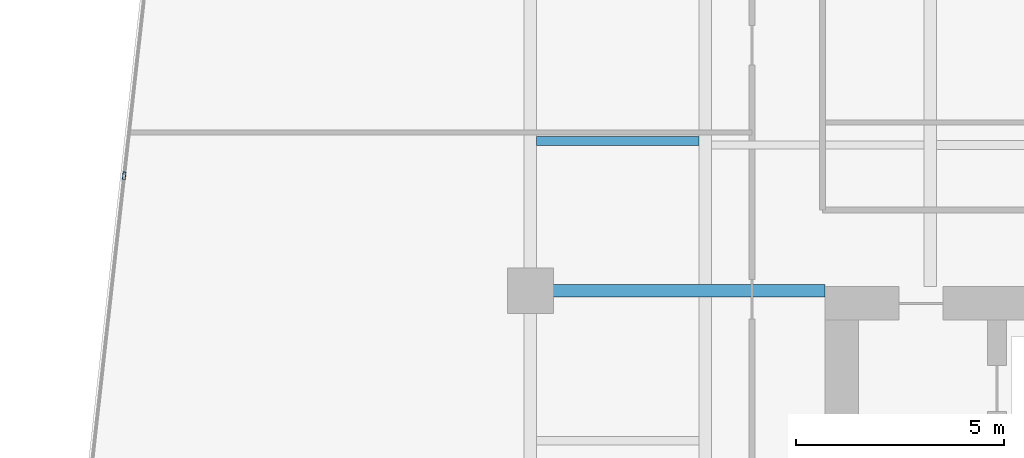
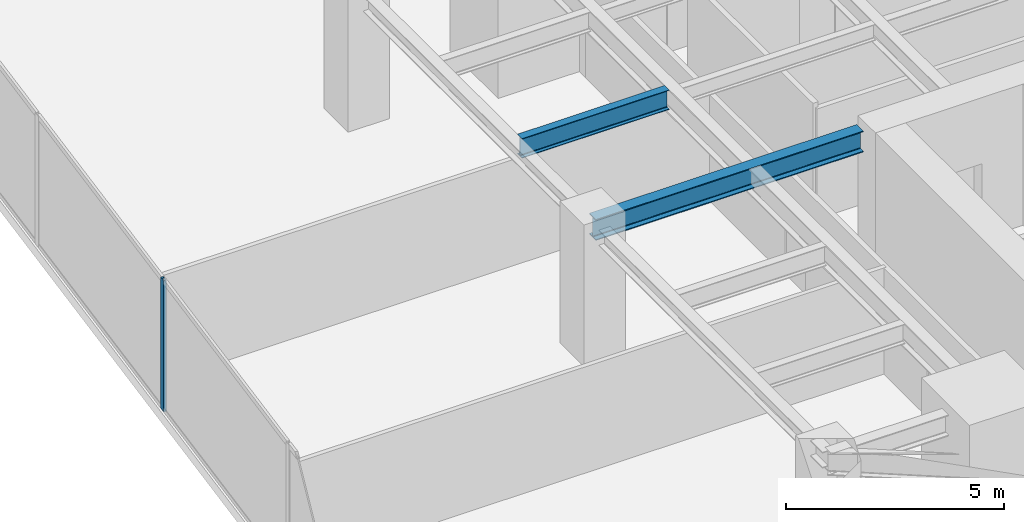
# One storey, part 8 of 28: 2 beams, 1 member, 1 element without a shape of its own.
"""IFC4 building model written with IfcOpenShell, lengths in metres."""

from ifc_helpers import new_model, si_unit, direction, frame, origin, origin_2d, place, context, subcontext, project, spatial, hollow_rectangle, i_section, extrude, source, transform, mapped, material, material_profile, profile_set, type_object, type_shapes, element, aggregate, save


model = new_model("IFC4")

# Units and contexts
model_context = context("Model", 3, precision=1e-05, world=origin(), true_north=direction((0.0, 1.0)))
body_context = subcontext(model_context, "Body", "Model", "MODEL_VIEW")
ifc_project = project(units=[si_unit("LENGTHUNIT", "METRE"), si_unit("AREAUNIT", "SQUARE_METRE"), si_unit("VOLUMEUNIT", "CUBIC_METRE"), si_unit("PLANEANGLEUNIT", "RADIAN"), si_unit("MASSUNIT", "GRAM", prefix="KILO")], contexts=[model_context])

# Site, building, storey
site_placement = place(None, origin())
site = spatial("IfcSite", under=ifc_project, at=site_placement, CompositionType="ELEMENT")
building_placement = place(site_placement, origin())
building = spatial("IfcBuilding", under=site, at=building_placement, Name="Krantzveldt Concourse Tower", CompositionType="ELEMENT")
storey_placement = place(building_placement, frame((0.0, 0.0, 64.5)))
storey = spatial("IfcBuildingStorey", under=building, at=storey_placement, Name="L15", CompositionType="ELEMENT", Elevation=64.5)

# Beams
ifc_material_1 = material(Name="Steel S355JR", Category="steel")
ifc_material_profile_1 = material_profile(ifc_material_1, i_section(OverallWidth=0.300048828125, OverallDepth=0.590087890625, WebThickness=0.012939453125, FlangeThickness=0.02490234375, FilletRadius=0.027099609375, at=origin_2d()), Name="Steel S355JR", Category="steel")
ifc_profile_set_1 = profile_set([ifc_material_profile_1], Name="Steel S355JR - HEA 600")
beam_type_1 = type_object("IfcBeamType", Name="BM-B-HEA600", PredefinedType="BEAM", material=ifc_profile_set_1)
shared_shape_1 = source(origin(), body_context, "Body", "SweptSolid", [
    extrude(i_section(OverallWidth=0.300048828125, OverallDepth=0.590087890625, WebThickness=0.012939453125, FlangeThickness=0.02490234375, FilletRadius=0.027099609375, at=origin_2d()), origin(), (0.0, 0.0, 1.0), 7.080078125),
])
type_shapes(beam_type_1, [shared_shape_1])
beam_1_placement = place(storey_placement, frame((21.0, 26.699951171875, 3.375), z_axis=(1.0, 0.0, 0.0), x_axis=(0.0, 1.0, 0.0)))
element("IfcBeam", 1, at=beam_1_placement, inside=storey, type_object=beam_type_1, Name="L15 Tower Girder BG-CW2", PredefinedType="BEAM", context=body_context, shape_type="MappedRepresentation", body=[
    mapped(shared_shape_1, transform((0.0, 0.0, 0.0), x_axis=(1.0, 0.0, 0.0), y_axis=(0.0, 1.0, 0.0), z_axis=(0.0, 0.0, 1.0), scale=1.0)),
])
ifc_material_profile_2 = material_profile(ifc_material_1, i_section(OverallWidth=0.2099609375, OverallDepth=0.550048828125, WebThickness=0.010986328125, FlangeThickness=0.01708984375, FilletRadius=0.02392578125, at=origin_2d()), Name="Steel S355JR", Category="steel")
ifc_profile_set_2 = profile_set([ifc_material_profile_2], Name="Steel S355JR - IPE 550")
beam_type_2 = type_object("IfcBeamType", Name="BM-J-IPE550", PredefinedType="JOIST", material=ifc_profile_set_2)
shared_shape_2 = source(origin(), body_context, "Body", "SweptSolid", [
    extrude(i_section(OverallWidth=0.2099609375, OverallDepth=0.550048828125, WebThickness=0.010986328125, FlangeThickness=0.01708984375, FilletRadius=0.02392578125, at=origin_2d()), origin(), (0.0, 0.0, 1.0), 3.900146484375),
])
type_shapes(beam_type_2, [shared_shape_2])
beam_2_placement = place(storey_placement, frame((21.14990234375, 30.300048828125, 3.39501953125), z_axis=(1.0, 0.0, 0.0), x_axis=(0.0, 1.0, 0.0)))
element("IfcBeam", 2, at=beam_2_placement, inside=storey, type_object=beam_type_2, Name="L15 Secondary Floor Joist JW-3", PredefinedType="JOIST", context=body_context, shape_type="MappedRepresentation", body=[
    mapped(shared_shape_2, transform((0.0, 0.0, 0.0), x_axis=(1.0, 0.0, 0.0), y_axis=(0.0, 1.0, 0.0), z_axis=(0.0, 0.0, 1.0), scale=1.0)),
])

# Curtain wall, member
ifc_material_2 = material(Name="Anodised aluminium 6063-T6", Category="aluminium")
curtain_wall_type = type_object("IfcCurtainWallType", Name="CW2", PredefinedType="USERDEFINED", material=ifc_material_2)
curtain_wall_placement = place(storey_placement, origin())
curtain_wall = element("IfcCurtainWall", 3, at=curtain_wall_placement, inside=storey, type_object=curtain_wall_type, Name="CW-L15-F01", ObjectType="UNITISED CURTAIN WALL", PredefinedType="USERDEFINED")
ifc_material_profile_3 = material_profile(ifc_material_2, hollow_rectangle(XDim=0.070068359375, YDim=0.179931640625, WallThickness=0.0048828125, at=origin_2d()), Name="Anodised aluminium 6063-T6", Category="aluminium")
ifc_profile_set_3 = profile_set([ifc_material_profile_3], Name="Anodised aluminium 6063-T6 - ALU-MULL 180x70x5")
member_type = type_object("IfcMemberType", Name="CW-MUL-180", PredefinedType="MULLION", material=ifc_profile_set_3)
shared_shape_3 = source(origin(), body_context, "Body", "SweptSolid", [
    extrude(hollow_rectangle(XDim=0.070068359375, YDim=0.179931640625, WallThickness=0.0048828125, at=origin_2d()), origin(), (0.0, 0.0, 1.0), 3.669921875),
])
type_shapes(member_type, [shared_shape_3])
member_placement = place(storey_placement, frame((11.244140625, 29.4658203125, 0.0), z_axis=(0.0, 0.0, 1.0), x_axis=(0.993816458223, -0.111035342863, 0.0)))
member = element("IfcMember", 4, at=member_placement, type_object=member_type, Name="CW-Z12 mullion 4", PredefinedType="MULLION", context=body_context, shape_type="MappedRepresentation", body=[
    mapped(shared_shape_3, transform((0.0, 0.0, 0.0), x_axis=(1.0, 0.0, 0.0), y_axis=(0.0, 1.0, 0.0), z_axis=(0.0, 0.0, 1.0), scale=1.0)),
])
aggregate(curtain_wall, [member])

save(model, "model.ifc")
